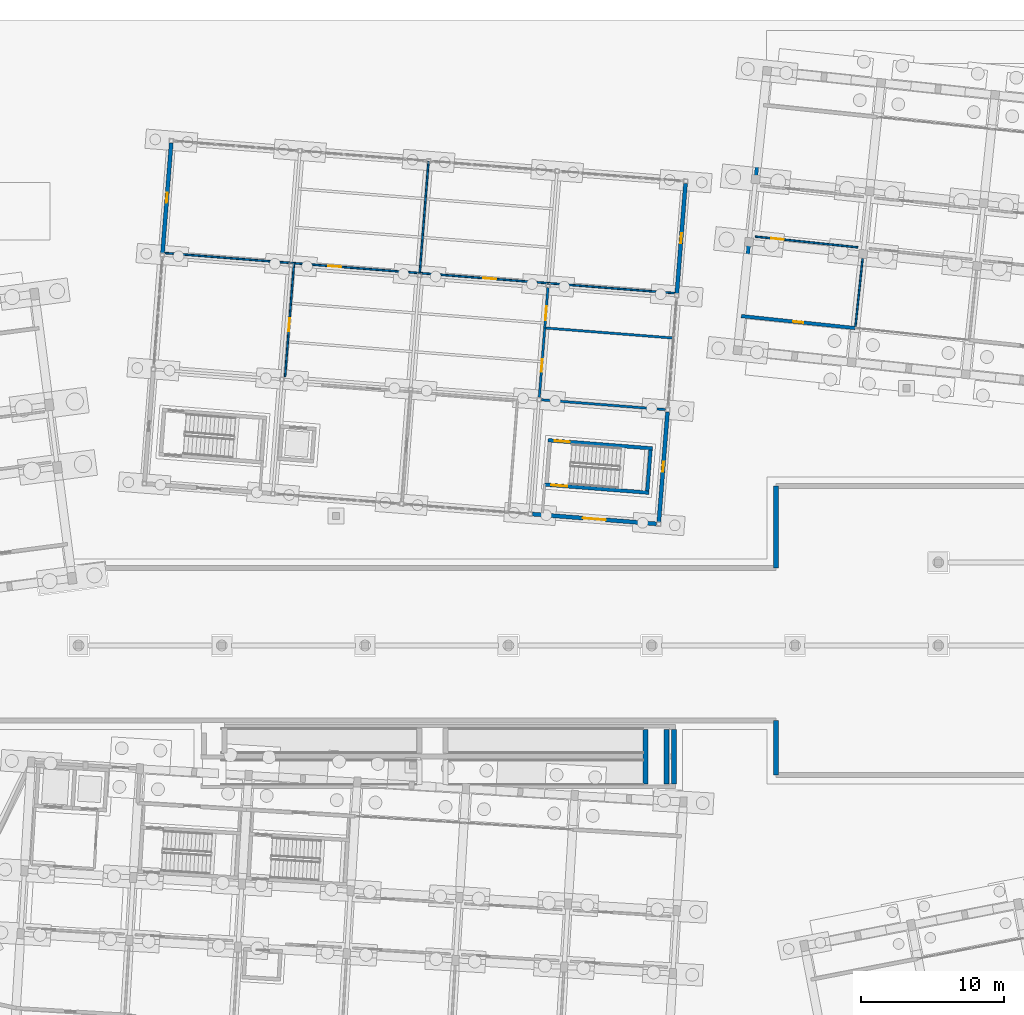
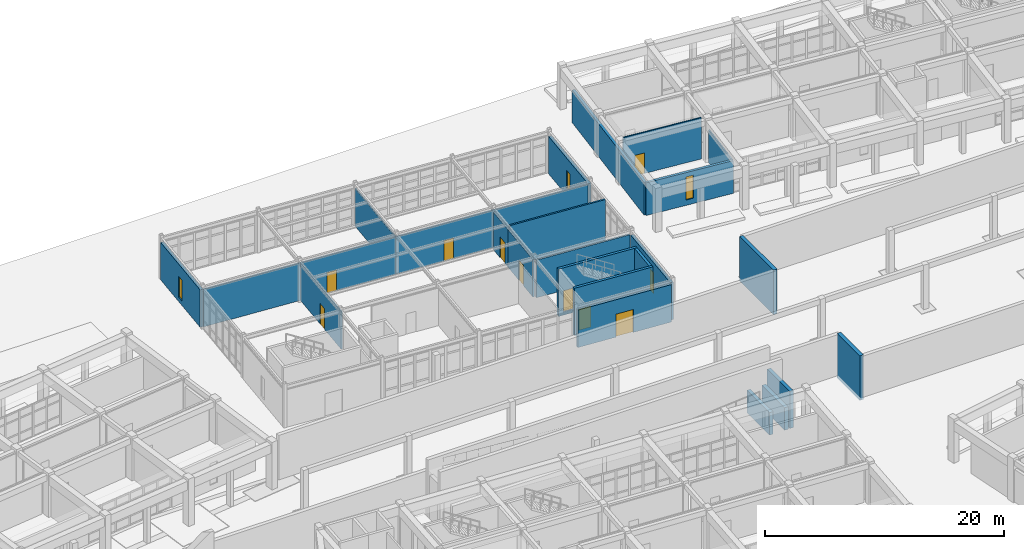
# One storey, part 126 of 154: 24 walls, 9 doors, 4 windows, 13 openings.
"""IFC4 building model written with IfcOpenShell, lengths in metres."""

from ifc_helpers import new_model, si_unit, direction, frame, frame_2d, origin, place, context, subcontext, project, spatial, rectangle, extrude, material, layer, layer_set, type_object, element, fill, save


model = new_model("IFC4")

# Units and contexts
model_context = context("Model", 3, precision=1e-05, world=origin(), true_north=direction((0.0, 1.0)))
body_context = subcontext(model_context, "Body", "Model", "MODEL_VIEW")
ifc_project = project(units=[si_unit("LENGTHUNIT", "METRE"), si_unit("AREAUNIT", "SQUARE_METRE"), si_unit("VOLUMEUNIT", "CUBIC_METRE"), si_unit("PLANEANGLEUNIT", "RADIAN"), si_unit("MASSUNIT", "GRAM", prefix="KILO")], contexts=[model_context])

# Site, building, storey
site_placement = place(None, origin())
site = spatial("IfcSite", under=ifc_project, at=site_placement, CompositionType="ELEMENT")
building_placement = place(site_placement, origin())
building = spatial("IfcBuilding", under=site, at=building_placement, Name="Kestramere Prow Commons", CompositionType="ELEMENT")
storey_placement = place(building_placement, origin())
storey = spatial("IfcBuildingStorey", under=building, at=storey_placement, Name="L00", CompositionType="ELEMENT", Elevation=0.0)

# Wall, opening, door
ifc_material_1 = material(Name="Precast concrete C40/50", Category="concrete")
ifc_layer_1 = layer(ifc_material_1, 0.280029296875)
ifc_layer_set_1 = layer_set([ifc_layer_1], Name="Precast concrete C40/50")
wall_type_1 = type_object("IfcWallType", Name="EW-CIVIC-280", PredefinedType="SOLIDWALL", material=ifc_layer_set_1)
wall_1_placement = place(storey_placement, frame((104.339599609375, 82.687255859375, 0.0), z_axis=(0.0, 0.0, 1.0), x_axis=(-0.996917238993, 0.078460299505, 0.0)))
wall_1 = element("IfcWall", 1, at=wall_1_placement, inside=storey, type_object=wall_type_1, Name="Nursery L00 South Wall 4", PredefinedType="SOLIDWALL", context=body_context, shape_type="SweptSolid", body=[
    extrude(rectangle(XDim=8.7001953125, YDim=0.280029296875, at=frame_2d((4.35009765625, 0.0))), origin(), (0.0, 0.0, 1.0), 3.830078125),
])
opening_1_placement = place(wall_1_placement, frame((3.550048828125, 0.0, 0.0)))
opening_1 = element("IfcOpeningElement", 2, at=opening_1_placement, cuts=wall_1, Name="Opening ED-02", PredefinedType="OPENING", context=body_context, shape_type="SweptSolid", body=[
    extrude(rectangle(XDim=1.60009765625, YDim=2.35009765625, at=frame_2d((0.800048828125, 1.175048828125))), frame((0.0, 0.155029296875, 0.0), z_axis=(0.0, -1.0, 0.0), x_axis=(1.0, 0.0, 0.0)), (0.0, 0.0, 1.0), 0.31005859375),
])
ifc_material_2 = material(Name="Thermally-Broken Anodised Aluminium Glazed", Category="aluminium")
door_type_1 = type_object("IfcDoorType", Name="ED-LOBBY-1600", OperationType="DOUBLE_DOOR_SINGLE_SWING", PredefinedType="DOOR", material=ifc_material_2)
door_1_placement = place(opening_1_placement, origin())
door_1 = element("IfcDoor", 3, at=door_1_placement, inside=storey, type_object=door_type_1, Name="Nursery Entrance Door 4", OperationType="DOUBLE_DOOR_SINGLE_SWING", OverallHeight=2.35009765625, OverallWidth=1.60009765625, PredefinedType="DOOR", context=body_context, shape_type="SweptSolid", body=[
    extrude(rectangle(XDim=1.60009765625, YDim=2.35009765625, at=frame_2d((0.800048828125, 1.175048828125))), frame((0.0, 0.02490234375, 0.0), z_axis=(0.0, -1.0, 0.0), x_axis=(1.0, 0.0, 0.0)), (0.0, 0.0, 1.0), 0.050048828125),
])
fill(opening_1, door_1)

# Wall, opening, window
wall_2_placement = place(storey_placement, frame((69.8671875, 101.60009765625, 0.0), z_axis=(0.0, 0.0, 1.0), x_axis=(0.078442108986, 0.996918670473, 0.0)))
wall_2 = element("IfcWall", 4, at=wall_2_placement, inside=storey, type_object=wall_type_1, Name="Nursery L00 W Wall 3", PredefinedType="SOLIDWALL", context=body_context, shape_type="SweptSolid", body=[
    extrude(rectangle(XDim=7.699951171875, YDim=0.280029296875, at=frame_2d((3.85009765625, 0.0))), origin(), (0.0, 0.0, 1.0), 3.830078125),
])
opening_2_placement = place(wall_2_placement, frame((3.5, 0.0, 0.449951171875)))
opening_2 = element("IfcOpeningElement", 5, at=opening_2_placement, cuts=wall_2, Name="Opening WN-16", PredefinedType="OPENING", context=body_context, shape_type="SweptSolid", body=[
    extrude(rectangle(XDim=0.699951171875, YDim=2.139892578125, at=frame_2d((0.35009765625, 1.06982421875))), frame((0.0, 0.155029296875, 0.0), z_axis=(0.0, -1.0, 0.0), x_axis=(1.0, 0.0, 0.0)), (0.0, 0.0, 1.0), 0.31005859375),
])
ifc_material_3 = material(Name="Low-E Laminated Double Glazing", Category="glass")
window_type_1 = type_object("IfcWindowType", Name="WN-CIV-700", PartitioningType="SINGLE_PANEL", PredefinedType="WINDOW", material=ifc_material_3)
window_1_placement = place(opening_2_placement, origin())
window_1 = element("IfcWindow", 6, at=window_1_placement, inside=storey, type_object=window_type_1, Name="WN-NR-L00-W-2", OverallHeight=2.139892578125, OverallWidth=0.699951171875, PartitioningType="SINGLE_PANEL", PredefinedType="WINDOW", context=body_context, shape_type="SweptSolid", body=[
    extrude(rectangle(XDim=0.699951171875, YDim=2.139892578125, at=frame_2d((0.35009765625, 1.06982421875))), frame((0.0, 0.030029296875, 0.0), z_axis=(0.0, -1.0, 0.0), x_axis=(1.0, 0.0, 0.0)), (0.0, 0.0, 1.0), 0.06005859375),
])
fill(opening_2, window_1)

wall_3_placement = place(storey_placement, frame((105.10498046875, 90.501220703125, 0.0), z_axis=(0.0, 0.0, 1.0), x_axis=(-0.078473620365, -0.996916190513, 0.0)))
wall_3 = element("IfcWall", 7, at=wall_3_placement, inside=storey, type_object=wall_type_1, Name="Nursery L00 E Wall 1", PredefinedType="SOLIDWALL", context=body_context, shape_type="SweptSolid", body=[
    extrude(rectangle(XDim=7.699951171875, YDim=0.280029296875, at=frame_2d((3.85009765625, 0.0))), origin(), (0.0, 0.0, 1.0), 3.830078125),
])
opening_3_placement = place(wall_3_placement, frame((3.5, 0.0, 0.449951171875)))
opening_3 = element("IfcOpeningElement", 8, at=opening_3_placement, cuts=wall_3, Name="Opening WN-16", PredefinedType="OPENING", context=body_context, shape_type="SweptSolid", body=[
    extrude(rectangle(XDim=0.699951171875, YDim=2.139892578125, at=frame_2d((0.35009765625, 1.06982421875))), frame((0.0, 0.155029296875, 0.0), z_axis=(0.0, -1.0, 0.0), x_axis=(1.0, 0.0, 0.0)), (0.0, 0.0, 1.0), 0.31005859375),
])
window_2_placement = place(opening_3_placement, origin())
window_2 = element("IfcWindow", 9, at=window_2_placement, inside=storey, type_object=window_type_1, Name="WN-NR-L00-E-0", OverallHeight=2.139892578125, OverallWidth=0.699951171875, PartitioningType="SINGLE_PANEL", PredefinedType="WINDOW", context=body_context, shape_type="SweptSolid", body=[
    extrude(rectangle(XDim=0.699951171875, YDim=2.139892578125, at=frame_2d((0.35009765625, 1.06982421875))), frame((0.0, 0.030029296875, 0.0), z_axis=(0.0, -1.0, 0.0), x_axis=(1.0, 0.0, 0.0)), (0.0, 0.0, 1.0), 0.06005859375),
])
fill(opening_3, window_2)

wall_4_placement = place(storey_placement, frame((106.3603515625, 106.451904296875, 0.0), z_axis=(0.0, 0.0, 1.0), x_axis=(-0.078473620365, -0.996916190513, 0.0)))
wall_4 = element("IfcWall", 10, at=wall_4_placement, inside=storey, type_object=wall_type_1, Name="Nursery L00 E Wall 3", PredefinedType="SOLIDWALL", context=body_context, shape_type="SweptSolid", body=[
    extrude(rectangle(XDim=7.699951171875, YDim=0.280029296875, at=frame_2d((3.85009765625, 0.0))), origin(), (0.0, 0.0, 1.0), 3.830078125),
])
opening_4_placement = place(wall_4_placement, frame((3.5, 0.0, 0.449951171875)))
opening_4 = element("IfcOpeningElement", 11, at=opening_4_placement, cuts=wall_4, Name="Opening WN-16", PredefinedType="OPENING", context=body_context, shape_type="SweptSolid", body=[
    extrude(rectangle(XDim=0.699951171875, YDim=2.139892578125, at=frame_2d((0.35009765625, 1.06982421875))), frame((0.0, 0.155029296875, 0.0), z_axis=(0.0, -1.0, 0.0), x_axis=(1.0, 0.0, 0.0)), (0.0, 0.0, 1.0), 0.31005859375),
])
window_3_placement = place(opening_4_placement, origin())
window_3 = element("IfcWindow", 12, at=window_3_placement, inside=storey, type_object=window_type_1, Name="WN-NR-L00-E-2", OverallHeight=2.139892578125, OverallWidth=0.699951171875, PartitioningType="SINGLE_PANEL", PredefinedType="WINDOW", context=body_context, shape_type="SweptSolid", body=[
    extrude(rectangle(XDim=0.699951171875, YDim=2.139892578125, at=frame_2d((0.35009765625, 1.06982421875))), frame((0.0, 0.030029296875, 0.0), z_axis=(0.0, -1.0, 0.0), x_axis=(1.0, 0.0, 0.0)), (0.0, 0.0, 1.0), 0.06005859375),
])
fill(opening_4, window_3)

# Wall
ifc_material_4 = material(Name="Weathered Zinc-Titanium Standing-Seam Cladding")
ifc_layer_2 = layer(ifc_material_4, 0.260009765625)
ifc_layer_set_2 = layer_set([ifc_layer_2], Name="Weathered Zinc-Titanium Standing-Seam Cladding")
wall_type_2 = type_object("IfcWallType", Name="EW-PROW-260", PredefinedType="SOLIDWALL", material=ifc_layer_set_2)
wall_5_placement = place(storey_placement, frame((110.2509765625, 97.186767578125, 0.0), z_axis=(0.0, 0.0, 1.0), x_axis=(0.104518196779, 0.994522974366, 0.0)))
element("IfcWall", 13, at=wall_5_placement, inside=storey, type_object=wall_type_2, Name="Block B L00 EAV Wall", PredefinedType="SOLIDWALL", context=body_context, shape_type="SweptSolid", body=[
    extrude(rectangle(XDim=14.800048828125, YDim=0.260009765625, at=frame_2d((7.39990234375, 0.0))), origin(), (0.0, 0.0, 1.0), 3.35009765625),
])

# Wall, opening, window
ifc_material_5 = material(Name="Fluoropolymer Standing-Seam Zinc-Aluminium Cladding", Category="aluminium")
ifc_layer_3 = layer(ifc_material_5, 0.239990234375)
ifc_layer_set_3 = layer_set([ifc_layer_3], Name="Fluoropolymer Standing-Seam Zinc-Aluminium Cladding")
wall_type_3 = type_object("IfcWallType", Name="EW-SEAM-240", PredefinedType="SOLIDWALL", material=ifc_layer_set_3)
wall_6_placement = place(storey_placement, frame((118.20703125, 96.3505859375, 0.0), z_axis=(0.0, 0.0, 1.0), x_axis=(-0.994522329422, 0.104524333444, 0.0)))
wall_6 = element("IfcWall", 14, at=wall_6_placement, inside=storey, type_object=wall_type_3, Name="Block B L00 South Recessed Wall 1", PredefinedType="SOLIDWALL", context=body_context, shape_type="SweptSolid", body=[
    extrude(rectangle(XDim=7.999755859375, YDim=0.239990234375, at=frame_2d((4.0, 0.0))), origin(), (0.0, 0.0, 1.0), 3.35009765625),
])
opening_5_placement = place(wall_6_placement, frame((3.64990234375, 0.0, 0.550048828125)))
opening_5 = element("IfcOpeningElement", 15, at=opening_5_placement, cuts=wall_6, Name="Opening WN-07", PredefinedType="OPENING", context=body_context, shape_type="SweptSolid", body=[
    extrude(rectangle(XDim=0.699951171875, YDim=2.360107421875, at=frame_2d((0.35009765625, 1.18017578125))), frame((0.0, 0.135009765625, 0.0), z_axis=(0.0, -1.0, 0.0), x_axis=(1.0, 0.0, 0.0)), (0.0, 0.0, 1.0), 0.27001953125),
])
window_type_2 = type_object("IfcWindowType", Name="WN-NAR-700A", PartitioningType="SINGLE_PANEL", PredefinedType="WINDOW", material=ifc_material_3)
window_4_placement = place(opening_5_placement, origin())
window_4 = element("IfcWindow", 16, at=window_4_placement, inside=storey, type_object=window_type_2, Name="WN-B-L00-S-0", OverallHeight=2.360107421875, OverallWidth=0.699951171875, PartitioningType="SINGLE_PANEL", PredefinedType="WINDOW", context=body_context, shape_type="SweptSolid", body=[
    extrude(rectangle(XDim=0.699951171875, YDim=2.360107421875, at=frame_2d((0.35009765625, 1.18017578125))), frame((0.0, 0.030029296875, 0.0), z_axis=(0.0, -1.0, 0.0), x_axis=(1.0, 0.0, 0.0)), (0.0, 0.0, 1.0), 0.06005859375),
])
fill(opening_5, window_4)

# Wall, opening, door
ifc_material_6 = material(Name="Concrete C40/50", Category="concrete")
ifc_layer_4 = layer(ifc_material_6, 0.25)
ifc_layer_set_4 = layer_set([ifc_layer_4], Name="Concrete C40/50")
wall_type_4 = type_object("IfcWallType", Name="W-CORE-250", PredefinedType="SHEAR", material=ifc_layer_set_4)
wall_7_placement = place(storey_placement, frame((96.774169921875, 88.52392578125, -0.35009765625), z_axis=(0.0, 0.0, 1.0), x_axis=(0.996917178022, -0.078461074196, 0.0)))
wall_7 = element("IfcWall", 17, at=wall_7_placement, inside=storey, type_object=wall_type_4, Name="SW-ST-N2-L00-N", PredefinedType="SHEAR", context=body_context, shape_type="SweptSolid", body=[
    extrude(rectangle(XDim=7.2998046875, YDim=0.25, at=frame_2d((3.64990234375, 0.0))), origin(), (0.0, 0.0, 1.0), 4.85009765625),
])
opening_6_placement = place(wall_7_placement, frame((0.449951171875, 0.0, 0.35009765625)))
opening_6 = element("IfcOpeningElement", 18, at=opening_6_placement, cuts=wall_7, Name="Opening ID-01", PredefinedType="OPENING", context=body_context, shape_type="SweptSolid", body=[
    extrude(rectangle(XDim=1.050048828125, YDim=2.14990234375, at=frame_2d((0.52490234375, 1.074951171875))), frame((0.0, 0.139892578125, 0.0), z_axis=(0.0, -1.0, 0.0), x_axis=(1.0, 0.0, 0.0)), (0.0, 0.0, 1.0), 0.280029296875),
])
ifc_material_7 = material(Name="Fire-Rated Timber and Steel Frame", Category="steel")
door_type_2 = type_object("IfcDoorType", Name="FD-ST-01", OperationType="NOTDEFINED", PredefinedType="DOOR", material=ifc_material_7)
door_2_placement = place(opening_6_placement, origin())
door_2 = element("IfcDoor", 19, at=door_2_placement, inside=storey, type_object=door_type_2, Name="ST-N2 L00 Protected Stair Door", OperationType="SINGLE_SWING_LEFT", OverallHeight=2.14990234375, OverallWidth=1.050048828125, PredefinedType="DOOR", context=body_context, shape_type="SweptSolid", body=[
    extrude(rectangle(XDim=1.050048828125, YDim=2.14990234375, at=frame_2d((0.52490234375, 1.074951171875))), frame((0.0, 0.02490234375, 0.0), z_axis=(0.0, -1.0, 0.0), x_axis=(1.0, 0.0, 0.0)), (0.0, 0.0, 1.0), 0.050048828125),
])
fill(opening_6, door_2)

wall_8_placement = place(storey_placement, frame((96.53076171875, 85.433349609375, -0.35009765625), z_axis=(0.0, 0.0, 1.0), x_axis=(0.996917383902, -0.078458458272, 0.0)))
wall_8 = element("IfcWall", 20, at=wall_8_placement, inside=storey, type_object=wall_type_4, Name="SW-ST-N2-L00-S", PredefinedType="SHEAR", context=body_context, shape_type="SweptSolid", body=[
    extrude(rectangle(XDim=7.300048828125, YDim=0.25, at=frame_2d((3.64990234375, 0.0))), origin(), (0.0, 0.0, 1.0), 4.85009765625),
])
opening_7_placement = place(wall_8_placement, frame((0.449951171875, 0.0, 0.35009765625)))
opening_7 = element("IfcOpeningElement", 21, at=opening_7_placement, cuts=wall_8, Name="Opening ID-02", PredefinedType="OPENING", context=body_context, shape_type="SweptSolid", body=[
    extrude(rectangle(XDim=1.1201171875, YDim=2.14990234375, at=frame_2d((0.56005859375, 1.074951171875))), frame((0.0, 0.139892578125, 0.0), z_axis=(0.0, -1.0, 0.0), x_axis=(1.0, 0.0, 0.0)), (0.0, 0.0, 1.0), 0.280029296875),
])
door_type_3 = type_object("IfcDoorType", Name="FD-ST-02", OperationType="NOTDEFINED", PredefinedType="DOOR", material=ifc_material_7)
door_3_placement = place(opening_7_placement, origin())
door_3 = element("IfcDoor", 22, at=door_3_placement, inside=storey, type_object=door_type_3, Name="ST-N2 L00 Lobby/Exit Stair Door", OperationType="SINGLE_SWING_RIGHT", OverallHeight=2.14990234375, OverallWidth=1.1201171875, PredefinedType="DOOR", context=body_context, shape_type="SweptSolid", body=[
    extrude(rectangle(XDim=1.1201171875, YDim=2.14990234375, at=frame_2d((0.56005859375, 1.074951171875))), frame((0.0, 0.02490234375, 0.0), z_axis=(0.0, -1.0, 0.0), x_axis=(1.0, 0.0, 0.0)), (0.0, 0.0, 1.0), 0.050048828125),
])
fill(opening_7, door_3)

# Wall
wall_9_placement = place(storey_placement, frame((103.693603515625, 84.9951171875, -0.35009765625), z_axis=(0.0, 0.0, 1.0), x_axis=(0.078471716745, 0.996916340357, 0.0)))
element("IfcWall", 23, at=wall_9_placement, inside=storey, type_object=wall_type_4, Name="SW-ST-N2-L00-E", PredefinedType="SHEAR", context=body_context, shape_type="SweptSolid", body=[
    extrude(rectangle(XDim=2.849853515625, YDim=0.25, at=frame_2d((1.4248046875, 0.0))), origin(), (0.0, 0.0, 1.0), 4.85009765625),
])

# Wall, opening, door
ifc_material_8 = material(Name="Lightweight Blockwork and Plaster", Category="masonry")
ifc_layer_5 = layer(ifc_material_8, 0.1201171875)
ifc_layer_set_5 = layer_set([ifc_layer_5], Name="Lightweight Blockwork and Plaster")
wall_type_5 = type_object("IfcWallType", Name="W-PART-120", PredefinedType="PARTITIONING", material=ifc_layer_set_5)
wall_10_placement = place(storey_placement, frame((70.026611328125, 101.587646484375, 0.0), z_axis=(0.0, 0.0, 1.0), x_axis=(0.996917529869, -0.078456603549, 0.0)))
wall_10 = element("IfcWall", 24, at=wall_10_placement, inside=storey, type_object=wall_type_5, Name="Interior Partition PW-NR-L00-CN1", PredefinedType="PARTITIONING", context=body_context, shape_type="SweptSolid", body=[
    extrude(rectangle(XDim=17.83984375, YDim=0.1201171875, at=frame_2d((8.919921875, 0.0))), origin(), (0.0, 0.0, 1.0), 3.843505859375),
])
opening_8_placement = place(wall_10_placement, frame((11.449951171875, 0.0, 0.0)))
opening_8 = element("IfcOpeningElement", 25, at=opening_8_placement, cuts=wall_10, Name="Opening ID-10", PredefinedType="OPENING", context=body_context, shape_type="SweptSolid", body=[
    extrude(rectangle(XDim=0.8798828125, YDim=2.10009765625, at=frame_2d((0.43994140625, 1.050048828125))), frame((0.0, 0.074951171875, 0.0), z_axis=(0.0, -1.0, 0.0), x_axis=(1.0, 0.0, 0.0)), (0.0, 0.0, 1.0), 0.150146484375),
])
ifc_material_9 = material(Name="Engineered Timber Bedroom Door", Category="wood")
door_type_4 = type_object("IfcDoorType", Name="D-RM-03", OperationType="NOTDEFINED", PredefinedType="DOOR", material=ifc_material_9)
door_4_placement = place(opening_8_placement, origin())
door_4 = element("IfcDoor", 26, at=door_4_placement, inside=storey, type_object=door_type_4, Name="Interior Door DR-NR-L00-N1", OperationType="SINGLE_SWING_RIGHT", OverallHeight=2.10009765625, OverallWidth=0.8798828125, PredefinedType="DOOR", context=body_context, shape_type="SweptSolid", body=[
    extrude(rectangle(XDim=0.8798828125, YDim=2.10009765625, at=frame_2d((0.43994140625, 1.050048828125))), frame((0.0, 0.02490234375, 0.0), z_axis=(0.0, -1.0, 0.0), x_axis=(1.0, 0.0, 0.0)), (0.0, 0.0, 1.0), 0.050048828125),
])
fill(opening_8, door_4)

wall_11_placement = place(storey_placement, frame((87.8115234375, 100.18798828125, 0.0), z_axis=(0.0, 0.0, 1.0), x_axis=(0.996917614105, -0.078455533188, 0.0)))
wall_11 = element("IfcWall", 27, at=wall_11_placement, inside=storey, type_object=wall_type_5, Name="Interior Partition PW-NR-L00-CN2", PredefinedType="PARTITIONING", context=body_context, shape_type="SweptSolid", body=[
    extrude(rectangle(XDim=17.840087890625, YDim=0.1201171875, at=frame_2d((8.919921875, 0.0))), origin(), (0.0, 0.0, 1.0), 3.843505859375),
])
opening_9_placement = place(wall_11_placement, frame((4.449951171875, 0.0, 0.0)))
opening_9 = element("IfcOpeningElement", 28, at=opening_9_placement, cuts=wall_11, Name="Opening ID-08", PredefinedType="OPENING", context=body_context, shape_type="SweptSolid", body=[
    extrude(rectangle(XDim=0.89990234375, YDim=2.10009765625, at=frame_2d((0.449951171875, 1.050048828125))), frame((0.0, 0.074951171875, 0.0), z_axis=(0.0, -1.0, 0.0), x_axis=(1.0, 0.0, 0.0)), (0.0, 0.0, 1.0), 0.150146484375),
])
ifc_material_10 = material(Name="Engineered Timber Flush Door", Category="wood")
door_type_5 = type_object("IfcDoorType", Name="D-RM-01", OperationType="NOTDEFINED", PredefinedType="DOOR", material=ifc_material_10)
door_5_placement = place(opening_9_placement, origin())
door_5 = element("IfcDoor", 29, at=door_5_placement, inside=storey, type_object=door_type_5, Name="Interior Door DR-NR-L00-N2", OperationType="SINGLE_SWING_LEFT", OverallHeight=2.10009765625, OverallWidth=0.89990234375, PredefinedType="DOOR", context=body_context, shape_type="SweptSolid", body=[
    extrude(rectangle(XDim=0.89990234375, YDim=2.10009765625, at=frame_2d((0.449951171875, 1.050048828125))), frame((0.0, 0.02490234375, 0.0), z_axis=(0.0, -1.0, 0.0), x_axis=(1.0, 0.0, 0.0)), (0.0, 0.0, 1.0), 0.050048828125),
])
fill(opening_9, door_5)

wall_12_placement = place(storey_placement, frame((78.4150390625, 92.952880859375, 0.0), z_axis=(0.0, 0.0, 1.0), x_axis=(0.078462345875, 0.996917077936, 0.0)))
wall_12 = element("IfcWall", 30, at=wall_12_placement, inside=storey, type_object=wall_type_5, Name="Interior Partition PW-NR-L00-CW", PredefinedType="PARTITIONING", context=body_context, shape_type="SweptSolid", body=[
    extrude(rectangle(XDim=7.949951171875, YDim=0.1201171875, at=frame_2d((3.97509765625, 0.0))), origin(), (0.0, 0.0, 1.0), 3.843505859375),
])
opening_10_placement = place(wall_12_placement, frame((3.199951171875, 0.0, 0.0)))
opening_10 = element("IfcOpeningElement", 31, at=opening_10_placement, cuts=wall_12, Name="Opening ID-08", PredefinedType="OPENING", context=body_context, shape_type="SweptSolid", body=[
    extrude(rectangle(XDim=0.89990234375, YDim=2.10009765625, at=frame_2d((0.449951171875, 1.050048828125))), frame((0.0, 0.074951171875, 0.0), z_axis=(0.0, -1.0, 0.0), x_axis=(1.0, 0.0, 0.0)), (0.0, 0.0, 1.0), 0.150146484375),
])
door_6_placement = place(opening_10_placement, origin())
door_6 = element("IfcDoor", 32, at=door_6_placement, inside=storey, type_object=door_type_5, Name="Interior Door DR-NR-L00-W1", OperationType="SINGLE_SWING_RIGHT", OverallHeight=2.10009765625, OverallWidth=0.89990234375, PredefinedType="DOOR", context=body_context, shape_type="SweptSolid", body=[
    extrude(rectangle(XDim=0.89990234375, YDim=2.10009765625, at=frame_2d((0.449951171875, 1.050048828125))), frame((0.0, 0.02490234375, 0.0), z_axis=(0.0, -1.0, 0.0), x_axis=(1.0, 0.0, 0.0)), (0.0, 0.0, 1.0), 0.050048828125),
])
fill(opening_10, door_6)

# Wall
wall_13_placement = place(storey_placement, frame((87.8115234375, 100.18798828125, 0.0), z_axis=(0.0, 0.0, 1.0), x_axis=(0.078462944011, 0.996917030859, 0.0)))
element("IfcWall", 33, at=wall_13_placement, inside=storey, type_object=wall_type_5, Name="Interior Partition PW-NR-L00-DIVN", PredefinedType="PARTITIONING", context=body_context, shape_type="SweptSolid", body=[
    extrude(rectangle(XDim=7.81005859375, YDim=0.1201171875, at=frame_2d((3.905029296875, 0.0))), origin(), (0.0, 0.0, 1.0), 3.843505859375),
])

# Wall, opening, door
wall_14_placement = place(storey_placement, frame((111.236083984375, 102.734375, 0.0), z_axis=(0.0, 0.0, 1.0), x_axis=(0.994520863291, -0.104538282357, 0.0)))
wall_14 = element("IfcWall", 34, at=wall_14_placement, inside=storey, type_object=wall_type_5, Name="Interior Partition PW-B-L00-CS-0", PredefinedType="PARTITIONING", context=body_context, shape_type="SweptSolid", body=[
    extrude(rectangle(XDim=7.2001953125, YDim=0.1201171875, at=frame_2d((3.60009765625, 0.0))), origin(), (0.0, 0.0, 1.0), 4.219970703125),
])
opening_11_placement = place(wall_14_placement, frame((1.10009765625, 0.0, 0.0)))
opening_11 = element("IfcOpeningElement", 35, at=opening_11_placement, cuts=wall_14, Name="Opening ID-08", PredefinedType="OPENING", context=body_context, shape_type="SweptSolid", body=[
    extrude(rectangle(XDim=0.89990234375, YDim=2.10009765625, at=frame_2d((0.449951171875, 1.050048828125))), frame((0.0, 0.074951171875, 0.0), z_axis=(0.0, -1.0, 0.0), x_axis=(1.0, 0.0, 0.0)), (0.0, 0.0, 1.0), 0.150146484375),
])
door_7_placement = place(opening_11_placement, origin())
door_7 = element("IfcDoor", 36, at=door_7_placement, inside=storey, type_object=door_type_5, Name="Interior Door DR-B-L00-S-0", OperationType="SINGLE_SWING_LEFT", OverallHeight=2.10009765625, OverallWidth=0.89990234375, PredefinedType="DOOR", context=body_context, shape_type="SweptSolid", body=[
    extrude(rectangle(XDim=0.89990234375, YDim=2.10009765625, at=frame_2d((0.449951171875, 1.050048828125))), frame((0.0, 0.02490234375, 0.0), z_axis=(0.0, -1.0, 0.0), x_axis=(1.0, 0.0, 0.0)), (0.0, 0.0, 1.0), 0.050048828125),
])
fill(opening_11, door_7)

# Walls
wall_15_placement = place(storey_placement, frame((118.220703125, 96.47998046875, 0.0), z_axis=(0.0, 0.0, 1.0), x_axis=(0.104510501135, 0.994523783101, 0.0)))
element("IfcWall", 37, at=wall_15_placement, inside=storey, type_object=wall_type_5, Name="Interior Partition PW-B-L00-DVS-1", PredefinedType="PARTITIONING", context=body_context, shape_type="SweptSolid", body=[
    extrude(rectangle(XDim=4.73974609375, YDim=0.1201171875, at=frame_2d((2.369873046875, 0.0))), origin(), (0.0, 0.0, 1.0), 3.320068359375),
])
ifc_material_11 = material(Name="Waterproof Sanitary Masonry Wall", Category="masonry")
ifc_layer_6 = layer(ifc_material_11, 0.1650390625)
ifc_layer_set_6 = layer_set([ifc_layer_6], Name="Waterproof Sanitary Masonry Wall")
wall_type_6 = type_object("IfcWallType", Name="W-PLUMB-150", PredefinedType="PLUMBINGWALL", material=ifc_layer_set_6)
wall_16_placement = place(storey_placement, frame((96.303955078125, 91.344482421875, 0.0), z_axis=(0.0, 0.0, 1.0), x_axis=(0.9969162409, -0.078472980254, 0.0)))
element("IfcWall", 38, at=wall_16_placement, inside=storey, type_object=wall_type_6, Name="Interior Partition PW-NR-L00-WCS", PredefinedType="PLUMBINGWALL", context=body_context, shape_type="SweptSolid", body=[
    extrude(rectangle(XDim=8.68017578125, YDim=0.1650390625, at=frame_2d((4.340087890625, 0.0))), origin(), (0.0, 0.0, 1.0), 3.843505859375),
])

# Wall, opening, door
wall_17_placement = place(storey_placement, frame((96.156982421875, 91.516357421875, 0.0), z_axis=(0.0, 0.0, 1.0), x_axis=(0.078463385465, 0.996916996114, 0.0)))
wall_17 = element("IfcWall", 39, at=wall_17_placement, inside=storey, type_object=wall_type_6, Name="Interior Partition PW-NR-L00-CE1", PredefinedType="PLUMBINGWALL", context=body_context, shape_type="SweptSolid", body=[
    extrude(rectangle(XDim=4.860107421875, YDim=0.1650390625, at=frame_2d((2.43017578125, 0.0))), origin(), (0.0, 0.0, 1.0), 3.843505859375),
])
opening_12_placement = place(wall_17_placement, frame((1.800048828125, 0.0, 0.0)))
opening_12 = element("IfcOpeningElement", 40, at=opening_12_placement, cuts=wall_17, Name="Opening ID-12", PredefinedType="OPENING", context=body_context, shape_type="SweptSolid", body=[
    extrude(rectangle(XDim=0.860107421875, YDim=2.10009765625, at=frame_2d((0.43017578125, 1.050048828125))), frame((0.0, 0.097412109375, 0.0), z_axis=(0.0, -1.0, 0.0), x_axis=(1.0, 0.0, 0.0)), (0.0, 0.0, 1.0), 0.195068359375),
])
ifc_material_12 = material(Name="Moisture-Resistant Timber WC Door", Category="wood")
door_type_6 = type_object("IfcDoorType", Name="D-WC-01", OperationType="NOTDEFINED", PredefinedType="DOOR", material=ifc_material_12)
door_8_placement = place(opening_12_placement, origin())
door_8 = element("IfcDoor", 41, at=door_8_placement, inside=storey, type_object=door_type_6, Name="Interior Door DR-NR-L00-WC", OperationType="SINGLE_SWING_LEFT", OverallHeight=2.10009765625, OverallWidth=0.860107421875, PredefinedType="DOOR", context=body_context, shape_type="SweptSolid", body=[
    extrude(rectangle(XDim=0.860107421875, YDim=2.10009765625, at=frame_2d((0.43017578125, 1.050048828125))), frame((0.0, 0.02490234375, 0.0), z_axis=(0.0, -1.0, 0.0), x_axis=(1.0, 0.0, 0.0)), (0.0, 0.0, 1.0), 0.050048828125),
])
fill(opening_12, door_8)

wall_18_placement = place(storey_placement, frame((96.538330078125, 96.361572265625, 0.0), z_axis=(0.0, 0.0, 1.0), x_axis=(0.078437571766, 0.996919027472, 0.0)))
wall_18 = element("IfcWall", 42, at=wall_18_placement, inside=storey, type_object=wall_type_6, Name="Interior Partition PW-NR-L00-CE2", PredefinedType="PLUMBINGWALL", context=body_context, shape_type="SweptSolid", body=[
    extrude(rectangle(XDim=2.820068359375, YDim=0.1650390625, at=frame_2d((1.41015625, 0.0))), origin(), (0.0, 0.0, 1.0), 3.843505859375),
])
opening_13_placement = place(wall_18_placement, frame((0.550048828125, 0.0, 0.0)))
opening_13 = element("IfcOpeningElement", 43, at=opening_13_placement, cuts=wall_18, Name="Opening ID-13", PredefinedType="OPENING", context=body_context, shape_type="SweptSolid", body=[
    extrude(rectangle(XDim=0.9599609375, YDim=2.1201171875, at=frame_2d((0.47998046875, 1.06005859375))), frame((0.0, 0.097412109375, 0.0), z_axis=(0.0, -1.0, 0.0), x_axis=(1.0, 0.0, 0.0)), (0.0, 0.0, 1.0), 0.195068359375),
])
ifc_material_13 = material(Name="Accessible Wide-Leaf Timber Door", Category="wood")
door_type_7 = type_object("IfcDoorType", Name="D-ACC-01", OperationType="NOTDEFINED", PredefinedType="DOOR", material=ifc_material_13)
door_9_placement = place(opening_13_placement, origin())
door_9 = element("IfcDoor", 44, at=door_9_placement, inside=storey, type_object=door_type_7, Name="Interior Door DR-NR-L00-AWC", OperationType="SINGLE_SWING_RIGHT", OverallHeight=2.1201171875, OverallWidth=0.9599609375, PredefinedType="DOOR", context=body_context, shape_type="SweptSolid", body=[
    extrude(rectangle(XDim=0.9599609375, YDim=2.1201171875, at=frame_2d((0.47998046875, 1.06005859375))), frame((0.0, 0.02490234375, 0.0), z_axis=(0.0, -1.0, 0.0), x_axis=(1.0, 0.0, 0.0)), (0.0, 0.0, 1.0), 0.050048828125),
])
fill(opening_13, door_9)

# Walls
wall_19_placement = place(storey_placement, frame((96.6279296875, 96.3544921875, 0.0), z_axis=(0.0, 0.0, 1.0), x_axis=(0.996916420474, -0.078470698917, 0.0)))
element("IfcWall", 45, at=wall_19_placement, inside=storey, type_object=wall_type_6, Name="Interior Partition PW-NR-L00-DIVWC", PredefinedType="PLUMBINGWALL", context=body_context, shape_type="SweptSolid", body=[
    extrude(rectangle(XDim=8.8701171875, YDim=0.1650390625, at=frame_2d((4.43505859375, 0.0))), origin(), (0.0, 0.0, 1.0), 4.22998046875),
])
ifc_material_14 = material(Name="Pigmented Charcoal Concrete C35/45", Category="concrete")
ifc_layer_7 = layer(ifc_material_14, 0.35009765625)
ifc_layer_set_7 = layer_set([ifc_layer_7], Name="Pigmented Charcoal Concrete C35/45")
wall_type_7 = type_object("IfcWallType", Name="W-RET-350", PredefinedType="USERDEFINED", material=ifc_layer_set_7)
wall_20_placement = place(storey_placement, frame((112.675048828125, 79.625, -0.35009765625), z_axis=(0.0, 0.0, 1.0), x_axis=(0.0, 1.0, 0.0)))
element("IfcWall", 46, at=wall_20_placement, inside=storey, type_object=wall_type_7, Name="Raised Hillside Courtyard Retaining Wall 4", ObjectType="RETAINING WALL", PredefinedType="USERDEFINED", context=body_context, shape_type="SweptSolid", body=[
    extrude(rectangle(XDim=5.699951171875, YDim=0.35009765625, at=frame_2d((2.85009765625, 0.0))), origin(), (0.0, 0.0, 1.0), 4.550048828125),
])
wall_21_placement = place(storey_placement, frame((112.675048828125, 65.175048828125, -0.35009765625), z_axis=(0.0, 0.0, 1.0), x_axis=(0.0, 1.0, 0.0)))
element("IfcWall", 47, at=wall_21_placement, inside=storey, type_object=wall_type_7, Name="Raised Hillside Courtyard Retaining Wall 8", ObjectType="RETAINING WALL", PredefinedType="USERDEFINED", context=body_context, shape_type="SweptSolid", body=[
    extrude(rectangle(XDim=3.800048828125, YDim=0.35009765625, at=frame_2d((1.89990234375, 0.0))), origin(), (0.0, 0.0, 1.0), 4.550048828125),
])
wall_22_placement = place(storey_placement, frame((105.550048828125, 64.550048828125, -0.35009765625), z_axis=(0.0, 0.0, 1.0), x_axis=(0.0, 1.0, 0.0)))
element("IfcWall", 48, at=wall_22_placement, inside=storey, type_object=wall_type_7, Name="Hillside Ramp E Turn Retaining Wall", ObjectType="RETAINING WALL", PredefinedType="USERDEFINED", context=body_context, shape_type="SweptSolid", body=[
    extrude(rectangle(XDim=3.800048828125, YDim=0.35009765625, at=frame_2d((1.89990234375, 0.0))), origin(), (0.0, 0.0, 1.0), 3.77001953125),
])
for number, where, z_axis, x_axis, name in (
    (49, (103.580078125, 64.550048828125, -0.35009765625), (0.0, 0.0, 1.0), (0.0, 1.0, 0.0), "Hillside Ramp E Bearing Stem Wall TRN0"),
    (50, (105.050048828125, 64.550048828125, -0.35009765625), (0.0, 0.0, 1.0), (0.0, 1.0, 0.0), "Hillside Ramp E Bearing Stem Wall TRN1"),
):
    element("IfcWall", number, at=place(storey_placement, frame(where, z_axis=z_axis, x_axis=x_axis)), inside=storey, type_object=wall_type_7, Name=name, ObjectType="RETAINING WALL", PredefinedType="USERDEFINED", context=body_context, shape_type="SweptSolid", body=[
        extrude(rectangle(XDim=3.800048828125, YDim=0.35009765625, at=frame_2d((1.89990234375, 0.0))), origin(), (0.0, 0.0, 1.0), 2.300048828125),
    ])

save(model, "model.ifc")
